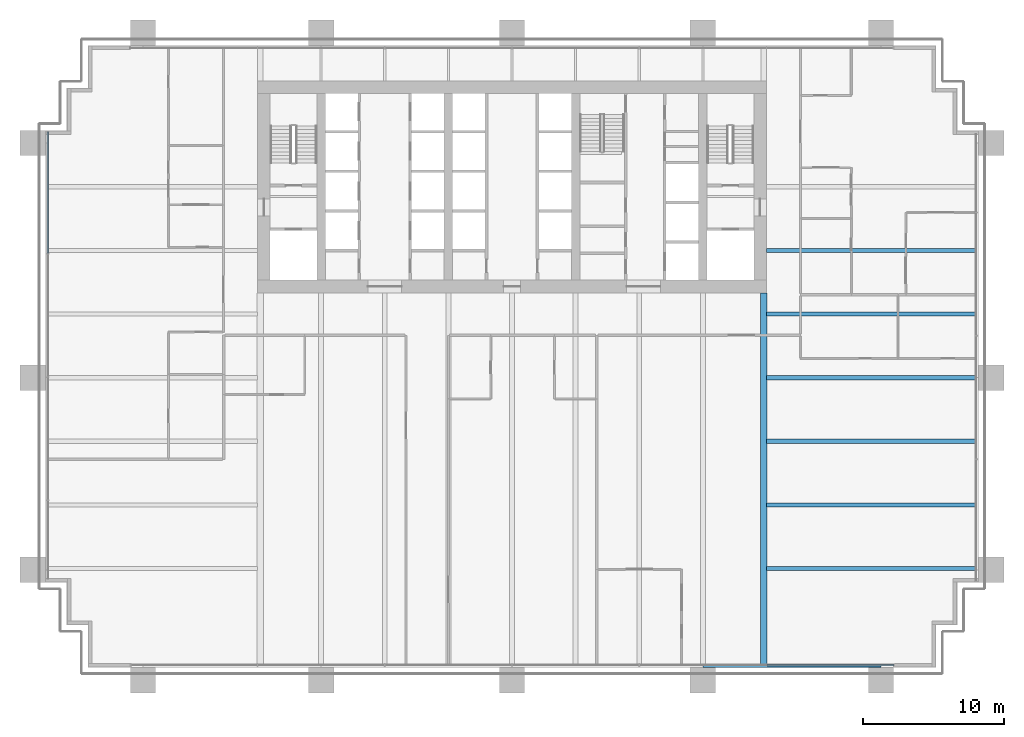
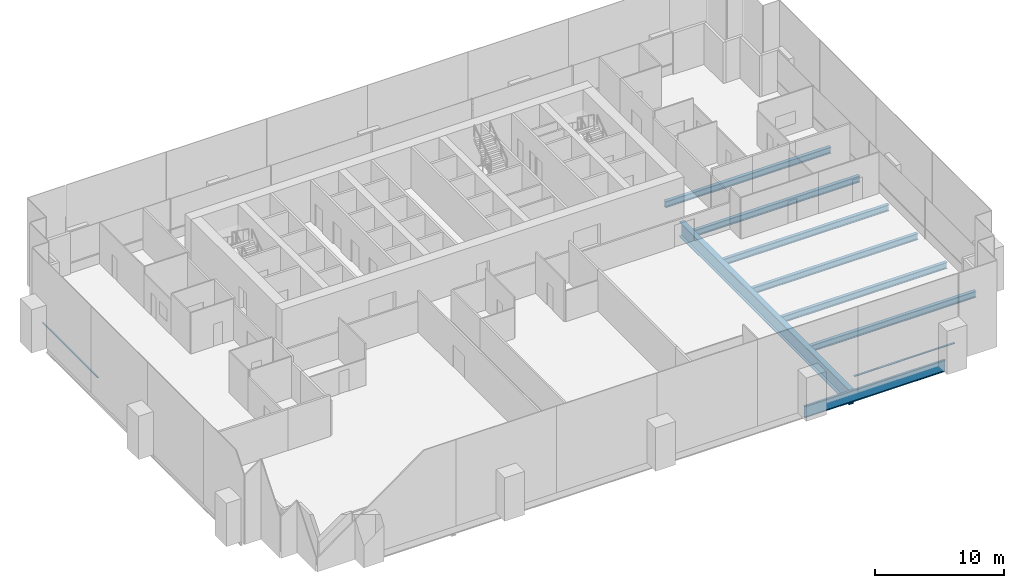
# One storey, part 6 of 17: 8 beams, 2 members, 2 elements without a shape of their own.
"""IFC4 building model written with IfcOpenShell, lengths in metres."""

from ifc_helpers import new_model, si_unit, direction, frame, origin, origin_2d, place, context, subcontext, project, spatial, rectangle, i_section, extrude, material, material_profile, profile_set, type_object, element, aggregate, save


model = new_model("IFC4")

# Units and contexts
model_context = context("Model", 3, precision=1e-05, world=origin(), true_north=direction((0.0, 1.0)))
body_context = subcontext(model_context, "Body", "Model", "MODEL_VIEW")
ifc_project = project(units=[si_unit("LENGTHUNIT", "METRE"), si_unit("AREAUNIT", "SQUARE_METRE"), si_unit("VOLUMEUNIT", "CUBIC_METRE"), si_unit("PLANEANGLEUNIT", "RADIAN"), si_unit("MASSUNIT", "GRAM", prefix="KILO")], contexts=[model_context])

# Site, building, storey
site_placement = place(None, origin())
site = spatial("IfcSite", under=ifc_project, at=site_placement, CompositionType="ELEMENT")
building_placement = place(site_placement, origin())
building = spatial("IfcBuilding", under=site, at=building_placement, Name="Rattan Terrace Tower", CompositionType="ELEMENT")
storey_placement = place(building_placement, frame((0.0, 0.0, 44.699951171875)))
storey = spatial("IfcBuildingStorey", under=building, at=storey_placement, Name="L09", CompositionType="ELEMENT", Elevation=44.699951171875)

# Curtain wall, member
ifc_material_1 = material(Name="Aluminium and glass", Category="aluminium")
curtain_wall_type = type_object("IfcCurtainWallType", Name="Facade Unitised Curtain Wall", PredefinedType="NOTDEFINED", material=ifc_material_1)
curtain_wall_1_placement = place(storey_placement, origin())
curtain_wall_1 = element("IfcCurtainWall", 1, at=curtain_wall_1_placement, inside=storey, type_object=curtain_wall_type, Name="Curtain wall L09-3", PredefinedType="NOTDEFINED")
ifc_material_2 = material(Name="Aluminium", Category="aluminium")
ifc_material_profile_1 = material_profile(ifc_material_2, rectangle(XDim=0.1201171875, YDim=0.06005859375, at=origin_2d()), Name="Aluminium 120x60")
ifc_profile_set_1 = profile_set([ifc_material_profile_1], Name="Aluminium")
member_type = type_object("IfcMemberType", Name="Facade CW Transom 120x60", PredefinedType="USERDEFINED", material=ifc_profile_set_1)
member_1_placement = place(storey_placement, frame((-32.830078125, 3.89501953125, 1.0), z_axis=(0.0, -1.0, 0.0), x_axis=(1.0, 0.0, 0.0)))
member_1 = element("IfcMember", 2, at=member_1_placement, type_object=member_type, Name="Transom cwl-L09-003.1", ObjectType="TRANSOM", PredefinedType="USERDEFINED", context=body_context, shape_type="SweptSolid", body=[
    extrude(rectangle(XDim=0.1201171875, YDim=0.06005859375, at=origin_2d()), origin(), (0.0, 0.0, 1.0), 8.592041015625),
])
aggregate(curtain_wall_1, [member_1])

curtain_wall_2_placement = place(storey_placement, origin())
curtain_wall_2 = element("IfcCurtainWall", 3, at=curtain_wall_2_placement, inside=storey, type_object=curtain_wall_type, Name="Curtain wall L09-4", PredefinedType="NOTDEFINED")
member_2_placement = place(storey_placement, frame((18.030029296875, -33.830078125, 1.0), z_axis=(1.0, 0.0, 0.0), x_axis=(0.0, 1.0, 0.0)))
member_2 = element("IfcMember", 4, at=member_2_placement, type_object=member_type, Name="Transom cwl-L09-004.6", ObjectType="TRANSOM", PredefinedType="USERDEFINED", context=body_context, shape_type="SweptSolid", body=[
    extrude(rectangle(XDim=0.1201171875, YDim=0.06005859375, at=origin_2d()), origin(), (0.0, 0.0, 1.0), 8.969970703125),
])
aggregate(curtain_wall_2, [member_2])

# Beams
ifc_material_3 = material(Name="Steel S460", Category="steel")
ifc_material_profile_2 = material_profile(ifc_material_3, i_section(OverallWidth=0.449951171875, OverallDepth=1.39990234375, WebThickness=0.02197265625, FlangeThickness=0.054931640625, at=origin_2d()), Name="PG 1400x450-22-55")
ifc_profile_set_2 = profile_set([ifc_material_profile_2], Name="Steel S460")
beam_type_1 = type_object("IfcBeamType", Name="Frame core girder PG 1400x450-22-55", PredefinedType="BEAM", material=ifc_profile_set_2)
beam_1_placement = place(storey_placement, frame((17.800048828125, -33.820068359375, -0.89990234375), z_axis=(0.0, 1.0, 0.0), x_axis=(-1.0, 0.0, 0.0)))
element("IfcBeam", 5, at=beam_1_placement, inside=storey, type_object=beam_type_1, Name="gdr-L09-014", PredefinedType="BEAM", context=body_context, shape_type="SweptSolid", body=[
    extrude(i_section(OverallWidth=0.449951171875, OverallDepth=1.39990234375, WebThickness=0.02197265625, FlangeThickness=0.054931640625, at=origin_2d()), origin(), (0.0, 0.0, 1.0), 26.320068359375),
])
ifc_material_4 = material(Name="Steel S460", Category="steel")
ifc_material_profile_3 = material_profile(ifc_material_4, i_section(OverallWidth=0.179931640625, OverallDepth=1.10009765625, WebThickness=0.01611328125, FlangeThickness=0.050048828125, at=origin_2d()), Name="PG 1100x180-16-50")
ifc_profile_set_3 = profile_set([ifc_material_profile_3], Name="Steel S460")
beam_type_2 = type_object("IfcBeamType", Name="Frame edge girder PG 1100x180-16-50", PredefinedType="SPANDREL", material=ifc_profile_set_3)
beam_2_placement = place(storey_placement, frame((13.5, -33.909912109375, -0.75), z_axis=(1.0, 0.0, 0.0), x_axis=(0.0, 1.0, 0.0)))
element("IfcBeam", 6, at=beam_2_placement, inside=storey, type_object=beam_type_2, Name="gdr-L09-004", PredefinedType="SPANDREL", context=body_context, shape_type="SweptSolid", body=[
    extrude(i_section(OverallWidth=0.179931640625, OverallDepth=1.10009765625, WebThickness=0.01611328125, FlangeThickness=0.050048828125, at=origin_2d()), origin(), (0.0, 0.0, 1.0), 12.60009765625),
])
ifc_material_5 = material(Name="Steel S355", Category="steel")
ifc_material_profile_4 = material_profile(ifc_material_5, i_section(OverallWidth=0.300048828125, OverallDepth=0.60009765625, WebThickness=0.015380859375, FlangeThickness=0.030029296875, FilletRadius=0.027099609375, at=origin_2d()), Name="HE 600 B")
ifc_profile_set_4 = profile_set([ifc_material_profile_4], Name="Steel S355")
beam_type_3 = type_object("IfcBeamType", Name="Frame floor beam HE 600 B", PredefinedType="JOIST", material=ifc_profile_set_4)
for number, where, z_axis, x_axis, name in (
    (7, (18.0, -27.0, -0.5), (1.0, 0.0, 0.0), (0.0, 1.0, 0.0), "bm-L09-011"),
    (8, (18.0, -22.5, -0.5), (1.0, 0.0, 0.0), (0.0, 1.0, 0.0), "bm-L09-013"),
    (9, (18.0, -18.0, -0.5), (1.0, 0.0, 0.0), (0.0, 1.0, 0.0), "bm-L09-015"),
    (10, (18.0, -13.5, -0.5), (1.0, 0.0, 0.0), (0.0, 1.0, 0.0), "bm-L09-017"),
    (11, (18.0, -9.0, -0.5), (1.0, 0.0, 0.0), (0.0, 1.0, 0.0), "bm-L09-019"),
    (12, (18.0, -4.5, -0.5), (1.0, 0.0, 0.0), (0.0, 1.0, 0.0), "bm-L09-021"),
):
    element("IfcBeam", number, at=place(storey_placement, frame(where, z_axis=z_axis, x_axis=x_axis)), inside=storey, type_object=beam_type_3, Name=name, PredefinedType="JOIST", context=body_context, shape_type="SweptSolid", body=[
        extrude(i_section(OverallWidth=0.300048828125, OverallDepth=0.60009765625, WebThickness=0.015380859375, FlangeThickness=0.030029296875, FilletRadius=0.027099609375, at=origin_2d()), origin(), (0.0, 0.0, 1.0), 14.820068359375),
    ])

save(model, "model.ifc")
